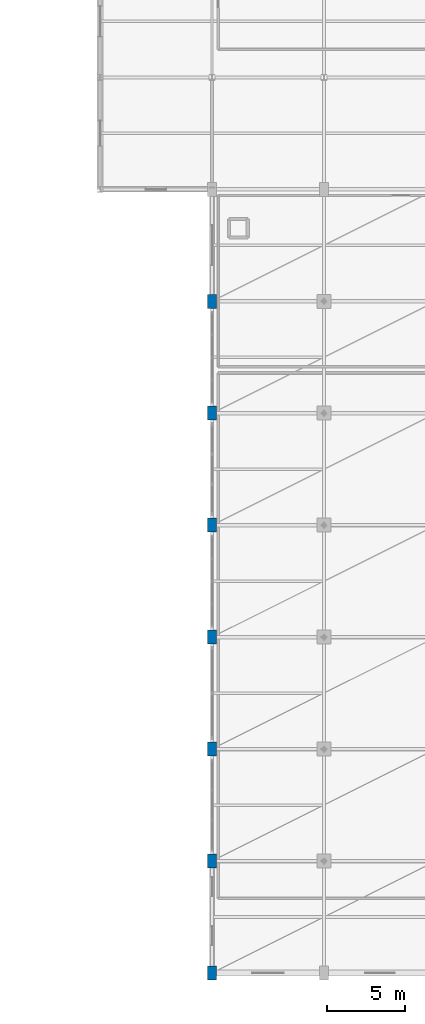
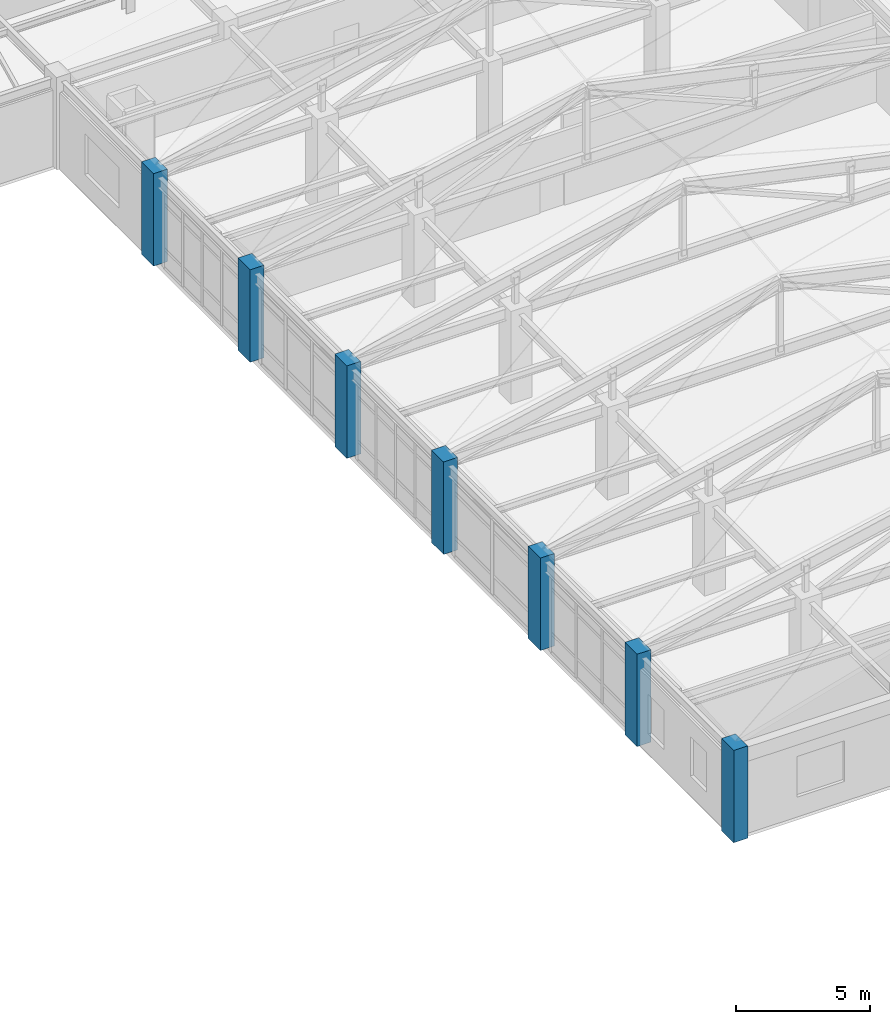
# One storey, part 4 of 113: 7 columns.
"""IFC4 building model written with IfcOpenShell, lengths in metres."""

import ifcopenshell
import ifcopenshell.guid

model = None  # the IFC model being written
_history = None  # IfcOwnerHistory: only IFC2X3 demands one
_inside = {}  # id of a spatial element -> (the spatial element, [elements in it])
_under = {}  # id of a project, library or spatial element -> (it, [spatial elements below it])
_declared = {}  # id of a project -> (the project, [libraries it declares])
_typed = {}  # id of a type object -> (the type object, [elements of that type])
_made_of = {}  # id of a material, layer set ... -> (it, [elements and type objects made of it])


def new_model(schema):
    """Start an empty IFC model of exactly this schema.

    Asked for "IFC4X3", IfcOpenShell would pick the latest addendum, in which some entities
    have other attributes; the version numbers below select the first issue.
    IFC2X3 requires an IfcOwnerHistory on every rooted entity: one is made here for all.
    """
    global model, _history
    if schema == "IFC4X3":
        model = ifcopenshell.file(schema_version=(4, 3, 0, 0))
    else:
        model = ifcopenshell.file(schema=schema)
    _inside.clear()
    _under.clear()
    _declared.clear()
    _typed.clear()
    _made_of.clear()
    _history = None
    if model.schema == "IFC2X3":
        org = make("IfcOrganization", Name="unknown")
        user = make(
            "IfcPersonAndOrganization",
            ThePerson=make("IfcPerson", FamilyName="unknown"),
            TheOrganization=org,
        )
        app = make(
            "IfcApplication",
            ApplicationDeveloper=org,
            Version="unknown",
            ApplicationFullName="unknown",
            ApplicationIdentifier="unknown",
        )
        _history = make(
            "IfcOwnerHistory",
            OwningUser=user,
            OwningApplication=app,
            ChangeAction="ADDED",
            CreationDate=0,
        )
    return model


def make(cls, **values):
    """One entity of the class cls with the attributes given. An attribute that is None is left unset."""
    return model.create_entity(
        cls, **{name: value for name, value in values.items() if value is not None}
    )


def rooted(cls, **values):
    """An entity with a GlobalId (a new one), such as an element, a storey or a relation."""
    return make(cls, GlobalId=ifcopenshell.guid.new(), OwnerHistory=_history, **values)


def si_unit(unit_type, name, prefix=None):
    """IfcSIUnit, for example si_unit("LENGTHUNIT", "METRE", prefix="MILLI")."""
    return make("IfcSIUnit", UnitType=unit_type, Prefix=prefix, Name=name)


def assignment(units):
    """IfcUnitAssignment: the units of a project."""
    return None if units is None else make("IfcUnitAssignment", Units=units)


def point(xyz):
    """IfcCartesianPoint."""
    return None if xyz is None else make("IfcCartesianPoint", Coordinates=xyz)


def direction(xyz):
    """IfcDirection."""
    return None if xyz is None else make("IfcDirection", DirectionRatios=xyz)


def frame(location, z_axis=None, x_axis=None):
    """IfcAxis2Placement3D, a coordinate frame: its origin and axes. An axis left out is left unset."""
    return make(
        "IfcAxis2Placement3D",
        Location=point(location),
        Axis=direction(z_axis),
        RefDirection=direction(x_axis),
    )


def frame_2d(location, x_axis=None):
    """IfcAxis2Placement2D, a coordinate frame in the plane: its origin and x axis."""
    return make(
        "IfcAxis2Placement2D", Location=point(location), RefDirection=direction(x_axis)
    )


def origin():
    """The frame at (0, 0, 0) with its axes left unset."""
    return frame((0.0, 0.0, 0.0))


def origin_2d():
    """The frame at (0, 0) in the plane with its x axis left unset."""
    return frame_2d((0.0, 0.0))


def place(relative_to, where):
    """IfcLocalPlacement: puts the frame where relative to a parent placement (None: the world)."""
    return make(
        "IfcLocalPlacement", PlacementRelTo=relative_to, RelativePlacement=where
    )


def context(
    kind, dimensions, precision=None, world=None, true_north=None, identifier=None
):
    """IfcGeometricRepresentationContext, for example the 3D "Model" context."""
    return make(
        "IfcGeometricRepresentationContext",
        ContextIdentifier=identifier,
        ContextType=kind,
        CoordinateSpaceDimension=dimensions,
        Precision=precision,
        WorldCoordinateSystem=world,
        TrueNorth=true_north,
    )


def subcontext(parent, identifier, kind, view, scale=None):
    """IfcGeometricRepresentationSubContext, for example "Body" below "Model"."""
    return make(
        "IfcGeometricRepresentationSubContext",
        ContextIdentifier=identifier,
        ContextType=kind,
        ParentContext=parent,
        TargetScale=scale,
        TargetView=view,
    )


def project(units=None, contexts=None):
    """IfcProject with its units and contexts."""
    return rooted(
        "IfcProject",
        Name="project",
        RepresentationContexts=contexts,
        UnitsInContext=assignment(units),
    )


def spatial(cls, under=None, at=None, **own):
    """A site, building, storey or space (cls), placed at a placement, below another one or the project."""
    s = rooted(cls, ObjectPlacement=at, **own)
    if under is not None:
        _under.setdefault(under.id(), (under, []))[1].append(s)
    return s


def profile(cls, at=None, kind="AREA", **sizes):
    """A parametric profile (cls). Its sizes go by their IFC names, for example OverallWidth=200.0."""
    return make(cls, ProfileType=kind, Position=at, **sizes)


def rectangle(**sizes):
    """IfcRectangleProfileDef."""
    return profile("IfcRectangleProfileDef", **sizes)


def extrude(swept, where, along, depth):
    """IfcExtrudedAreaSolid: the profile swept, set in the frame where, extruded along a direction by depth."""
    return make(
        "IfcExtrudedAreaSolid",
        SweptArea=swept,
        Position=where,
        ExtrudedDirection=direction(along),
        Depth=depth,
    )


def shape(context_of_items, identifier, shape_type, items):
    """IfcShapeRepresentation: the items that make up one representation, for example the "Body"."""
    return make(
        "IfcShapeRepresentation",
        ContextOfItems=context_of_items,
        RepresentationIdentifier=identifier,
        RepresentationType=shape_type,
        Items=items,
    )


def material(Name=None, Category=None):
    """IfcMaterial."""
    return make("IfcMaterial", Name=Name, Category=Category)


def material_profile(
    of_material, cross_section, Name=None, Category=None, Priority=None
):
    """IfcMaterialProfile: a cross section and its material."""
    return make(
        "IfcMaterialProfile",
        Name=Name,
        Material=of_material,
        Profile=cross_section,
        Priority=Priority,
        Category=Category,
    )


def profile_set(profiles, Name=None, composite=None):
    """IfcMaterialProfileSet."""
    return make(
        "IfcMaterialProfileSet",
        Name=Name,
        MaterialProfiles=profiles,
        CompositeProfile=composite,
    )


def made_of(thing, what):
    """Note that an element or type object is made of a material, layer set ...; save() writes the relation."""
    if what is not None:
        _made_of.setdefault(what.id(), (what, []))[1].append(thing)
    return thing


def type_object(cls, material=None, **own):
    """A type object (cls), such as IfcWallType, which elements share."""
    return made_of(rooted(cls, **own), material)


def element(
    cls,
    number,
    at=None,
    inside=None,
    cuts=None,
    type_object=None,
    material=None,
    context=None,
    identifier="Body",
    shape_type=None,
    held_by="IfcProductDefinitionShape",
    body=None,
    shapes=None,
    **own,
):
    """One element of the class cls, such as IfcWall. Its Tag is "e" and its number.

    at: its placement. inside: the storey or other place that contains it. cuts: it is an
    opening in that element (IfcRelVoidsElement). A single representation is given by context,
    identifier, shape_type and body (its items); several are given by shapes. held_by: the class
    of the entity that holds the representations. save() writes the other relations.
    """
    e = rooted(cls, Tag="e%d" % number, ObjectPlacement=at, **own)
    if body is not None:
        shapes = [shape(context, identifier, shape_type, body)]
    if shapes is not None:
        e.Representation = make(held_by, Representations=shapes)
    if inside is not None:
        _inside.setdefault(inside.id(), (inside, []))[1].append(e)
    if cuts is not None:
        rooted(
            "IfcRelVoidsElement", RelatingBuildingElement=cuts, RelatedOpeningElement=e
        )
    if type_object is not None:
        _typed.setdefault(type_object.id(), (type_object, []))[1].append(e)
    return made_of(e, material)


def aggregate(whole, parts):
    """IfcRelAggregates: a whole, such as a stair, and the parts it consists of."""
    return rooted("IfcRelAggregates", RelatingObject=whole, RelatedObjects=parts)


def save(model, path):
    """Write the relations noted so far, then the file.

    IfcRelAggregates (storeys below a building ...), IfcRelContainedInSpatialStructure (elements
    in a storey), IfcRelDefinesByType, IfcRelAssociatesMaterial and IfcRelDeclares: one each for
    every whole, place, type object, material and project.
    """
    for whole, parts in _under.values():
        aggregate(whole, parts)
    for where, things in _inside.values():
        rooted(
            "IfcRelContainedInSpatialStructure",
            RelatedElements=things,
            RelatingStructure=where,
        )
    for kind, things in _typed.values():
        rooted("IfcRelDefinesByType", RelatedObjects=things, RelatingType=kind)
    for what, things in _made_of.values():
        rooted("IfcRelAssociatesMaterial", RelatedObjects=things, RelatingMaterial=what)
    for by, libraries in _declared.values():
        rooted("IfcRelDeclares", RelatingContext=by, RelatedDefinitions=libraries)
    model.write(path)


model = new_model("IFC4")

# Units and contexts
model_context = context("Model", 3, precision=1e-05, world=origin(), true_north=direction((0.0, 1.0)))
body_context = subcontext(model_context, "Body", "Model", "MODEL_VIEW")
ifc_project = project(units=[si_unit("LENGTHUNIT", "METRE"), si_unit("AREAUNIT", "SQUARE_METRE"), si_unit("VOLUMEUNIT", "CUBIC_METRE"), si_unit("PLANEANGLEUNIT", "RADIAN"), si_unit("MASSUNIT", "GRAM", prefix="KILO")], contexts=[model_context])

# Site, building, storey
site_placement = place(None, origin())
site = spatial("IfcSite", under=ifc_project, at=site_placement, CompositionType="ELEMENT")
building_placement = place(site_placement, origin())
building = spatial("IfcBuilding", under=site, at=building_placement, Name="Carrowvane Square Congress Hotel", CompositionType="ELEMENT")
storey_placement = place(building_placement, frame((0.0, 0.0, 15.0)))
storey = spatial("IfcBuildingStorey", under=building, at=storey_placement, Name="L03", CompositionType="ELEMENT", Elevation=15.0)

# Columns
ifc_material = material(Name="Concrete C40/50", Category="concrete")
ifc_material_profile = material_profile(ifc_material, rectangle(XDim=0.60009765625, YDim=0.89990234375, at=origin_2d()), Name="RC 600x900")
ifc_profile_set = profile_set([ifc_material_profile], Name="Concrete C40/50")
column_type = type_object("IfcColumnType", Name="COL-RC-600x900", PredefinedType="COLUMN", material=ifc_profile_set)
for number, where, z_axis, x_axis, name in (
    (1, (134.0, 5.39990234375, 0.0), (0.0, 0.0, 1.0), (1.0, 0.0, 0.0), "L03 column 18/A"),
    (2, (134.0, 12.60009765625, 0.0), (0.0, 0.0, 1.0), (1.0, 0.0, 0.0), "L03 column 18/B"),
    (3, (134.0, 19.800048828125, 0.0), (0.0, 0.0, 1.0), (1.0, 0.0, 0.0), "L03 column 18/C"),
    (4, (134.0, 27.0, 0.0), (0.0, 0.0, 1.0), (1.0, 0.0, 0.0), "L03 column 18/D"),
    (5, (134.0, 34.199951171875, 0.0), (0.0, 0.0, 1.0), (1.0, 0.0, 0.0), "L03 column 18/E"),
    (6, (134.0, 41.39990234375, 0.0), (0.0, 0.0, 1.0), (1.0, 0.0, 0.0), "L03 column 18/F"),
    (7, (134.0, 48.60009765625, 0.0), (0.0, 0.0, 1.0), (1.0, 0.0, 0.0), "L03 column 18/G"),
):
    element("IfcColumn", number, at=place(storey_placement, frame(where, z_axis=z_axis, x_axis=x_axis)), inside=storey, type_object=column_type, Name=name, PredefinedType="COLUMN", context=body_context, shape_type="SweptSolid", body=[
        extrude(rectangle(XDim=0.60009765625, YDim=0.89990234375, at=origin_2d()), origin(), (0.0, 0.0, 1.0), 4.199951171875),
    ])

save(model, "model.ifc")
